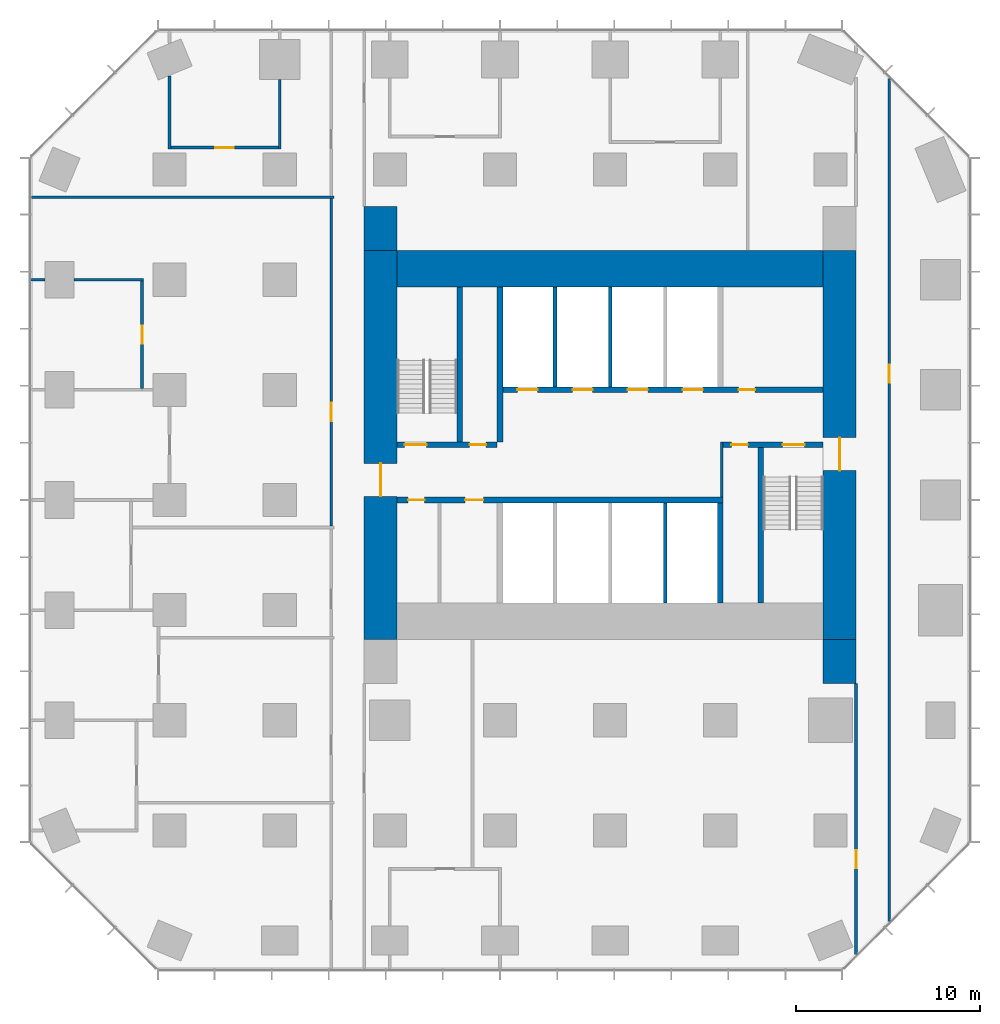
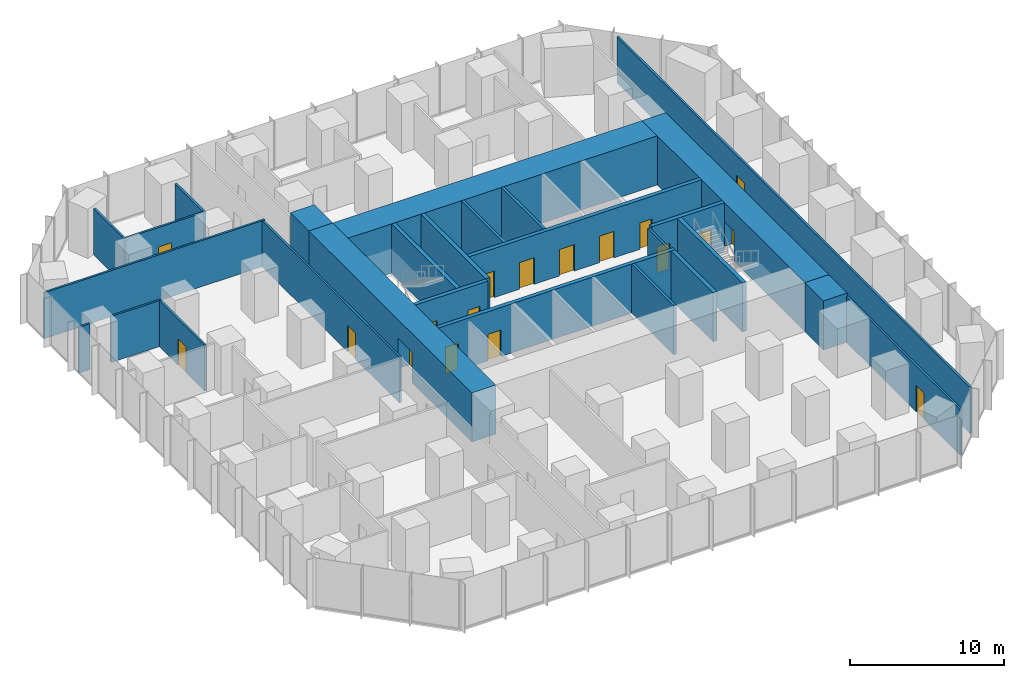
# One storey, part 9 of 11: 27 walls, 18 doors, 18 openings.
"""IFC4 building model written with IfcOpenShell, lengths in metres."""

from ifc_helpers import new_model, si_unit, direction, frame, frame_2d, origin, place, context, subcontext, project, spatial, rectangle, extrude, material, layer, layer_set, type_object, element, fill, save


model = new_model("IFC4")

# Units and contexts
model_context = context("Model", 3, precision=1e-05, world=origin(), true_north=direction((0.0, 1.0)))
body_context = subcontext(model_context, "Body", "Model", "MODEL_VIEW")
ifc_project = project(units=[si_unit("LENGTHUNIT", "METRE"), si_unit("AREAUNIT", "SQUARE_METRE"), si_unit("VOLUMEUNIT", "CUBIC_METRE"), si_unit("PLANEANGLEUNIT", "RADIAN"), si_unit("MASSUNIT", "GRAM", prefix="KILO")], contexts=[model_context])

# Site, building, storey
site_placement = place(None, origin())
site = spatial("IfcSite", under=ifc_project, at=site_placement, CompositionType="ELEMENT")
building_placement = place(site_placement, origin())
building = spatial("IfcBuilding", under=site, at=building_placement, Name="Highveld Stack Headquarters", CompositionType="ELEMENT")
storey_placement = place(building_placement, frame((0.0, 0.0, 29.89990234375)))
storey = spatial("IfcBuildingStorey", under=building, at=storey_placement, Name="L06", CompositionType="ELEMENT", Elevation=29.89990234375)

# Wall, opening, door
ifc_material_1 = material(Name="Concrete C60/75", Category="concrete")
ifc_layer_1 = layer(ifc_material_1, 1.800048828125)
ifc_layer_set_1 = layer_set([ifc_layer_1], Name="Concrete C60/75")
wall_type_1 = type_object("IfcWallType", Name="CORE WALL 1800 C60/75", PredefinedType="SHEAR", material=ifc_layer_set_1)
wall_1_placement = place(storey_placement, frame((-6.5, -7.60009765625, 0.0), z_axis=(0.0, 0.0, 1.0), x_axis=(0.0, 1.0, 0.0)))
wall_1 = element("IfcWall", 1, at=wall_1_placement, inside=storey, type_object=wall_type_1, Name="Core wall W L06", PredefinedType="SHEAR", context=body_context, shape_type="SweptSolid", body=[
    extrude(rectangle(XDim=21.2001953125, YDim=1.800048828125, at=frame_2d((10.60009765625, 0.0))), origin(), (0.0, 0.0, 1.0), 3.900146484375),
])
opening_1_placement = place(wall_1_placement, frame((7.800048828125, 0.0, 0.0)))
opening_1 = element("IfcOpeningElement", 2, at=opening_1_placement, cuts=wall_1, Name="Opening L06-01", PredefinedType="OPENING", context=body_context, shape_type="SweptSolid", body=[
    extrude(rectangle(XDim=1.800048828125, YDim=2.39990234375, at=frame_2d((0.89990234375, 1.199951171875))), frame((0.0, 0.909912109375, 0.0), z_axis=(0.0, -1.0, 0.0), x_axis=(1.0, 0.0, 0.0)), (0.0, 0.0, 1.0), 1.820068359375),
])
ifc_material_2 = material(Name="Steel fire door", Category="steel")
door_type_1 = type_object("IfcDoorType", Name="LOBBY FIRE DOOR D4 1800x2400", OperationType="DOUBLE_DOOR_SINGLE_SWING", PredefinedType="DOOR", material=ifc_material_2)
door_1_placement = place(opening_1_placement, origin())
door_1 = element("IfcDoor", 3, at=door_1_placement, inside=storey, type_object=door_type_1, Name="Core west door L06", OperationType="DOUBLE_DOOR_SINGLE_SWING", OverallHeight=2.39990234375, OverallWidth=1.800048828125, PredefinedType="DOOR", context=body_context, shape_type="SweptSolid", body=[
    extrude(rectangle(XDim=1.800048828125, YDim=2.39990234375, at=frame_2d((0.89990234375, 1.199951171875))), frame((0.0, 0.02490234375, 0.0), z_axis=(0.0, -1.0, 0.0), x_axis=(1.0, 0.0, 0.0)), (0.0, 0.0, 1.0), 0.050048828125),
])
fill(opening_1, door_1)

wall_2_placement = place(storey_placement, frame((18.5, -7.60009765625, 0.0), z_axis=(0.0, 0.0, 1.0), x_axis=(0.0, 1.0, 0.0)))
wall_2 = element("IfcWall", 4, at=wall_2_placement, inside=storey, type_object=wall_type_1, Name="Core wall E L06", PredefinedType="SHEAR", context=body_context, shape_type="SweptSolid", body=[
    extrude(rectangle(XDim=21.2001953125, YDim=1.800048828125, at=frame_2d((10.60009765625, 0.0))), origin(), (0.0, 0.0, 1.0), 3.900146484375),
])
opening_2_placement = place(wall_2_placement, frame((9.199951171875, 0.0, 0.0)))
opening_2 = element("IfcOpeningElement", 5, at=opening_2_placement, cuts=wall_2, Name="Opening L06-02", PredefinedType="OPENING", context=body_context, shape_type="SweptSolid", body=[
    extrude(rectangle(XDim=1.800048828125, YDim=2.39990234375, at=frame_2d((0.89990234375, 1.199951171875))), frame((0.0, 0.909912109375, 0.0), z_axis=(0.0, -1.0, 0.0), x_axis=(1.0, 0.0, 0.0)), (0.0, 0.0, 1.0), 1.820068359375),
])
door_2_placement = place(opening_2_placement, origin())
door_2 = element("IfcDoor", 6, at=door_2_placement, inside=storey, type_object=door_type_1, Name="Core east door L06", OperationType="DOUBLE_DOOR_SINGLE_SWING", OverallHeight=2.39990234375, OverallWidth=1.800048828125, PredefinedType="DOOR", context=body_context, shape_type="SweptSolid", body=[
    extrude(rectangle(XDim=1.800048828125, YDim=2.39990234375, at=frame_2d((0.89990234375, 1.199951171875))), frame((0.0, 0.02490234375, 0.0), z_axis=(0.0, -1.0, 0.0), x_axis=(1.0, 0.0, 0.0)), (0.0, 0.0, 1.0), 0.050048828125),
])
fill(opening_2, door_2)

# Wall
ifc_material_3 = material(Name="Concrete C60/75", Category="concrete")
ifc_layer_2 = layer(ifc_material_3, 2.0)
ifc_layer_set_2 = layer_set([ifc_layer_2], Name="Concrete C60/75")
wall_type_2 = type_object("IfcWallType", Name="CORE WALL 2000 C60/75", PredefinedType="SHEAR", material=ifc_layer_set_2)
wall_3_placement = place(storey_placement, frame((-5.60009765625, 12.60009765625, 0.0), z_axis=(0.0, 0.0, 1.0), x_axis=(1.0, 0.0, 0.0)))
element("IfcWall", 7, at=wall_3_placement, inside=storey, type_object=wall_type_2, Name="Core wall N L06", PredefinedType="SHEAR", context=body_context, shape_type="SweptSolid", body=[
    extrude(rectangle(XDim=23.2001953125, YDim=2.0, at=frame_2d((11.60009765625, 0.0))), origin(), (0.0, 0.0, 1.0), 3.900146484375),
])

# Wall, openings, doors
ifc_material_4 = material(Name="Concrete C60/75", Category="concrete")
ifc_layer_3 = layer(ifc_material_4, 0.300048828125)
ifc_layer_set_3 = layer_set([ifc_layer_3], Name="Concrete C60/75")
wall_type_3 = type_object("IfcWallType", Name="CORE WALL 300 C60/75", PredefinedType="SHEAR", material=ifc_layer_set_3)
wall_4_placement = place(storey_placement, frame((-5.60009765625, 0.0, 0.0), z_axis=(0.0, 0.0, 1.0), x_axis=(1.0, 0.0, 0.0)))
wall_4 = element("IfcWall", 8, at=wall_4_placement, inside=storey, type_object=wall_type_3, Name="Core wall I-Y0 L06", PredefinedType="SHEAR", context=body_context, shape_type="SweptSolid", body=[
    extrude(rectangle(XDim=17.75, YDim=0.300048828125, at=frame_2d((8.875, 0.0))), origin(), (0.0, 0.0, 1.0), 3.900146484375),
])
opening_3_placement = place(wall_4_placement, frame((0.60009765625, 0.0, 0.0)))
opening_3 = element("IfcOpeningElement", 9, at=opening_3_placement, cuts=wall_4, Name="Opening L06-07", PredefinedType="OPENING", context=body_context, shape_type="SweptSolid", body=[
    extrude(rectangle(XDim=0.89990234375, YDim=2.10009765625, at=frame_2d((0.449951171875, 1.050048828125))), frame((0.0, 0.159912109375, 0.0), z_axis=(0.0, -1.0, 0.0), x_axis=(1.0, 0.0, 0.0)), (0.0, 0.0, 1.0), 0.320068359375),
])
opening_4_placement = place(wall_4_placement, frame((3.699951171875, 0.0, 0.0)))
opening_4 = element("IfcOpeningElement", 10, at=opening_4_placement, cuts=wall_4, Name="Opening L06-08", PredefinedType="OPENING", context=body_context, shape_type="SweptSolid", body=[
    extrude(rectangle(XDim=1.0, YDim=2.10009765625, at=frame_2d((0.5, 1.050048828125))), frame((0.0, 0.159912109375, 0.0), z_axis=(0.0, -1.0, 0.0), x_axis=(1.0, 0.0, 0.0)), (0.0, 0.0, 1.0), 0.320068359375),
])
ifc_material_5 = material(Name="Timber door, painted", Category="wood")
door_type_2 = type_object("IfcDoorType", Name="ACCESSIBLE WC DOOR D2 1000x2100", OperationType="SINGLE_SWING_RIGHT", PredefinedType="DOOR", material=ifc_material_5)
door_3_placement = place(opening_4_placement, origin())
door_3 = element("IfcDoor", 11, at=door_3_placement, inside=storey, type_object=door_type_2, Name="Accessible WC door L06", OperationType="SINGLE_SWING_LEFT", OverallHeight=2.10009765625, OverallWidth=1.0, PredefinedType="DOOR", context=body_context, shape_type="SweptSolid", body=[
    extrude(rectangle(XDim=1.0, YDim=2.10009765625, at=frame_2d((0.5, 1.050048828125))), frame((0.0, 0.02490234375, 0.0), z_axis=(0.0, -1.0, 0.0), x_axis=(1.0, 0.0, 0.0)), (0.0, 0.0, 1.0), 0.050048828125),
])
fill(opening_4, door_3)
ifc_material_6 = material(Name="Timber door, painted", Category="wood")
door_type_3 = type_object("IfcDoorType", Name="WC DOOR D1 900x2100", OperationType="SINGLE_SWING_LEFT", PredefinedType="DOOR", material=ifc_material_6)
door_4_placement = place(opening_3_placement, origin())
door_4 = element("IfcDoor", 12, at=door_4_placement, inside=storey, type_object=door_type_3, Name="Female WC door L06", OperationType="SINGLE_SWING_LEFT", OverallHeight=2.10009765625, OverallWidth=0.89990234375, PredefinedType="DOOR", context=body_context, shape_type="SweptSolid", body=[
    extrude(rectangle(XDim=0.89990234375, YDim=2.10009765625, at=frame_2d((0.449951171875, 1.050048828125))), frame((0.0, 0.02490234375, 0.0), z_axis=(0.0, -1.0, 0.0), x_axis=(1.0, 0.0, 0.0)), (0.0, 0.0, 1.0), 0.050048828125),
])
fill(opening_3, door_4)

wall_5_placement = place(storey_placement, frame((-5.60009765625, 3.0, 0.0), z_axis=(0.0, 0.0, 1.0), x_axis=(1.0, 0.0, 0.0)))
wall_5 = element("IfcWall", 13, at=wall_5_placement, inside=storey, type_object=wall_type_3, Name="Core wall I-Y3W L06", PredefinedType="SHEAR", context=body_context, shape_type="SweptSolid", body=[
    extrude(rectangle(XDim=5.4501953125, YDim=0.300048828125, at=frame_2d((2.72509765625, 0.0))), origin(), (0.0, 0.0, 1.0), 3.900146484375),
])
opening_5_placement = place(wall_5_placement, frame((0.39990234375, 0.0, 0.0)))
opening_5 = element("IfcOpeningElement", 14, at=opening_5_placement, cuts=wall_5, Name="Opening L06-03", PredefinedType="OPENING", context=body_context, shape_type="SweptSolid", body=[
    extrude(rectangle(XDim=1.199951171875, YDim=2.10009765625, at=frame_2d((0.60009765625, 1.050048828125))), frame((0.0, 0.159912109375, 0.0), z_axis=(0.0, -1.0, 0.0), x_axis=(1.0, 0.0, 0.0)), (0.0, 0.0, 1.0), 0.320068359375),
])
opening_6_placement = place(wall_5_placement, frame((3.949951171875, 0.0, 0.0)))
opening_6 = element("IfcOpeningElement", 15, at=opening_6_placement, cuts=wall_5, Name="Opening L06-04", PredefinedType="OPENING", context=body_context, shape_type="SweptSolid", body=[
    extrude(rectangle(XDim=0.89990234375, YDim=2.10009765625, at=frame_2d((0.449951171875, 1.050048828125))), frame((0.0, 0.159912109375, 0.0), z_axis=(0.0, -1.0, 0.0), x_axis=(1.0, 0.0, 0.0)), (0.0, 0.0, 1.0), 0.320068359375),
])
ifc_material_7 = material(Name="Steel fire door", Category="steel")
door_type_4 = type_object("IfcDoorType", Name="RISER ACCESS DOOR D5 900x2100", OperationType="SINGLE_SWING_LEFT", PredefinedType="DOOR", material=ifc_material_7)
door_5_placement = place(opening_6_placement, origin())
door_5 = element("IfcDoor", 16, at=door_5_placement, inside=storey, type_object=door_type_4, Name="Riser R1 door L06", OperationType="SINGLE_SWING_RIGHT", OverallHeight=2.10009765625, OverallWidth=0.89990234375, PredefinedType="DOOR", context=body_context, shape_type="SweptSolid", body=[
    extrude(rectangle(XDim=0.89990234375, YDim=2.10009765625, at=frame_2d((0.449951171875, 1.050048828125))), frame((0.0, 0.02490234375, 0.0), z_axis=(0.0, -1.0, 0.0), x_axis=(1.0, 0.0, 0.0)), (0.0, 0.0, 1.0), 0.050048828125),
])
fill(opening_6, door_5)
ifc_material_8 = material(Name="Steel fire door", Category="steel")
door_type_5 = type_object("IfcDoorType", Name="STAIR FIRE DOOR D3 1200x2100", OperationType="SINGLE_SWING_LEFT", PredefinedType="DOOR", material=ifc_material_8)
door_6_placement = place(opening_5_placement, origin())
door_6 = element("IfcDoor", 17, at=door_6_placement, inside=storey, type_object=door_type_5, Name="Stair S1 door L06", OperationType="SINGLE_SWING_LEFT", OverallHeight=2.10009765625, OverallWidth=1.199951171875, PredefinedType="DOOR", context=body_context, shape_type="SweptSolid", body=[
    extrude(rectangle(XDim=1.199951171875, YDim=2.10009765625, at=frame_2d((0.60009765625, 1.050048828125))), frame((0.0, 0.02490234375, 0.0), z_axis=(0.0, -1.0, 0.0), x_axis=(1.0, 0.0, 0.0)), (0.0, 0.0, 1.0), 0.050048828125),
])
fill(opening_5, door_6)

wall_6_placement = place(storey_placement, frame((12.14990234375, 3.0, 0.0), z_axis=(0.0, 0.0, 1.0), x_axis=(1.0, 0.0, 0.0)))
wall_6 = element("IfcWall", 18, at=wall_6_placement, inside=storey, type_object=wall_type_3, Name="Core wall I-Y3E L06", PredefinedType="SHEAR", context=body_context, shape_type="SweptSolid", body=[
    extrude(rectangle(XDim=5.4501953125, YDim=0.300048828125, at=frame_2d((2.72509765625, 0.0))), origin(), (0.0, 0.0, 1.0), 3.900146484375),
])
opening_7_placement = place(wall_6_placement, frame((3.25, 0.0, 0.0)))
opening_7 = element("IfcOpeningElement", 19, at=opening_7_placement, cuts=wall_6, Name="Opening L06-05", PredefinedType="OPENING", context=body_context, shape_type="SweptSolid", body=[
    extrude(rectangle(XDim=1.199951171875, YDim=2.10009765625, at=frame_2d((0.60009765625, 1.050048828125))), frame((0.0, 0.159912109375, 0.0), z_axis=(0.0, -1.0, 0.0), x_axis=(1.0, 0.0, 0.0)), (0.0, 0.0, 1.0), 0.320068359375),
])
opening_8_placement = place(wall_6_placement, frame((0.449951171875, 0.0, 0.0)))
opening_8 = element("IfcOpeningElement", 20, at=opening_8_placement, cuts=wall_6, Name="Opening L06-06", PredefinedType="OPENING", context=body_context, shape_type="SweptSolid", body=[
    extrude(rectangle(XDim=0.89990234375, YDim=2.10009765625, at=frame_2d((0.449951171875, 1.050048828125))), frame((0.0, 0.159912109375, 0.0), z_axis=(0.0, -1.0, 0.0), x_axis=(1.0, 0.0, 0.0)), (0.0, 0.0, 1.0), 0.320068359375),
])
door_7_placement = place(opening_8_placement, origin())
door_7 = element("IfcDoor", 21, at=door_7_placement, inside=storey, type_object=door_type_4, Name="Riser R2 door L06", OperationType="SINGLE_SWING_LEFT", OverallHeight=2.10009765625, OverallWidth=0.89990234375, PredefinedType="DOOR", context=body_context, shape_type="SweptSolid", body=[
    extrude(rectangle(XDim=0.89990234375, YDim=2.10009765625, at=frame_2d((0.449951171875, 1.050048828125))), frame((0.0, 0.02490234375, 0.0), z_axis=(0.0, -1.0, 0.0), x_axis=(1.0, 0.0, 0.0)), (0.0, 0.0, 1.0), 0.050048828125),
])
fill(opening_8, door_7)
door_8_placement = place(opening_7_placement, origin())
door_8 = element("IfcDoor", 22, at=door_8_placement, inside=storey, type_object=door_type_5, Name="Stair S2 door L06", OperationType="SINGLE_SWING_RIGHT", OverallHeight=2.10009765625, OverallWidth=1.199951171875, PredefinedType="DOOR", context=body_context, shape_type="SweptSolid", body=[
    extrude(rectangle(XDim=1.199951171875, YDim=2.10009765625, at=frame_2d((0.60009765625, 1.050048828125))), frame((0.0, 0.02490234375, 0.0), z_axis=(0.0, -1.0, 0.0), x_axis=(1.0, 0.0, 0.0)), (0.0, 0.0, 1.0), 0.050048828125),
])
fill(opening_7, door_8)

wall_7_placement = place(storey_placement, frame((-0.14990234375, 6.0, 0.0), z_axis=(0.0, 0.0, 1.0), x_axis=(1.0, 0.0, 0.0)))
wall_7 = element("IfcWall", 23, at=wall_7_placement, inside=storey, type_object=wall_type_3, Name="Core wall I-Y6 L06", PredefinedType="SHEAR", context=body_context, shape_type="SweptSolid", body=[
    extrude(rectangle(XDim=17.75, YDim=0.300048828125, at=frame_2d((8.875, 0.0))), origin(), (0.0, 0.0, 1.0), 3.900146484375),
])
opening_9_placement = place(wall_7_placement, frame((13.14990234375, 0.0, 0.0)))
opening_9 = element("IfcOpeningElement", 24, at=opening_9_placement, cuts=wall_7, Name="Opening L06-09", PredefinedType="OPENING", context=body_context, shape_type="SweptSolid", body=[
    extrude(rectangle(XDim=0.89990234375, YDim=2.10009765625, at=frame_2d((0.449951171875, 1.050048828125))), frame((0.0, 0.159912109375, 0.0), z_axis=(0.0, -1.0, 0.0), x_axis=(1.0, 0.0, 0.0)), (0.0, 0.0, 1.0), 0.320068359375),
])
opening_10_placement = place(wall_7_placement, frame((1.10009765625, 0.0, 0.0)))
opening_10 = element("IfcOpeningElement", 25, at=opening_10_placement, cuts=wall_7, Name="Opening LD", PredefinedType="OPENING", context=body_context, shape_type="SweptSolid", body=[
    extrude(rectangle(XDim=1.10009765625, YDim=2.10009765625, at=frame_2d((0.550048828125, 1.050048828125))), frame((0.0, 0.159912109375, 0.0), z_axis=(0.0, -1.0, 0.0), x_axis=(1.0, 0.0, 0.0)), (0.0, 0.0, 1.0), 0.320068359375),
])
opening_11_placement = place(wall_7_placement, frame((4.10009765625, 0.0, 0.0)))
opening_11 = element("IfcOpeningElement", 26, at=opening_11_placement, cuts=wall_7, Name="Opening LD", PredefinedType="OPENING", context=body_context, shape_type="SweptSolid", body=[
    extrude(rectangle(XDim=1.10009765625, YDim=2.10009765625, at=frame_2d((0.550048828125, 1.050048828125))), frame((0.0, 0.159912109375, 0.0), z_axis=(0.0, -1.0, 0.0), x_axis=(1.0, 0.0, 0.0)), (0.0, 0.0, 1.0), 0.320068359375),
])
opening_12_placement = place(wall_7_placement, frame((7.10009765625, 0.0, 0.0)))
opening_12 = element("IfcOpeningElement", 27, at=opening_12_placement, cuts=wall_7, Name="Opening LD", PredefinedType="OPENING", context=body_context, shape_type="SweptSolid", body=[
    extrude(rectangle(XDim=1.10009765625, YDim=2.10009765625, at=frame_2d((0.550048828125, 1.050048828125))), frame((0.0, 0.159912109375, 0.0), z_axis=(0.0, -1.0, 0.0), x_axis=(1.0, 0.0, 0.0)), (0.0, 0.0, 1.0), 0.320068359375),
])
opening_13_placement = place(wall_7_placement, frame((10.10009765625, 0.0, 0.0)))
opening_13 = element("IfcOpeningElement", 28, at=opening_13_placement, cuts=wall_7, Name="Opening LD", PredefinedType="OPENING", context=body_context, shape_type="SweptSolid", body=[
    extrude(rectangle(XDim=1.10009765625, YDim=2.10009765625, at=frame_2d((0.550048828125, 1.050048828125))), frame((0.0, 0.159912109375, 0.0), z_axis=(0.0, -1.0, 0.0), x_axis=(1.0, 0.0, 0.0)), (0.0, 0.0, 1.0), 0.320068359375),
])
ifc_material_9 = material(Name="Stainless steel lift landing door", Category="steel")
door_type_6 = type_object("IfcDoorType", Name="LIFT LANDING DOOR LD 1100x2100", OperationType="DOUBLE_DOOR_SLIDING", PredefinedType="USERDEFINED", material=ifc_material_9)
door_9_placement = place(opening_10_placement, origin())
door_9 = element("IfcDoor", 29, at=door_9_placement, inside=storey, type_object=door_type_6, Name="Lift landing door FF1 L06", ObjectType="LIFT LANDING DOOR", OperationType="DOUBLE_DOOR_SLIDING", OverallHeight=2.10009765625, OverallWidth=1.10009765625, PredefinedType="USERDEFINED", context=body_context, shape_type="SweptSolid", body=[
    extrude(rectangle(XDim=1.10009765625, YDim=2.10009765625, at=frame_2d((0.550048828125, 1.050048828125))), frame((0.0, 0.02490234375, 0.0), z_axis=(0.0, -1.0, 0.0), x_axis=(1.0, 0.0, 0.0)), (0.0, 0.0, 1.0), 0.050048828125),
])
fill(opening_10, door_9)
door_10_placement = place(opening_11_placement, origin())
door_10 = element("IfcDoor", 30, at=door_10_placement, inside=storey, type_object=door_type_6, Name="Lift landing door FF2 L06", ObjectType="LIFT LANDING DOOR", OperationType="DOUBLE_DOOR_SLIDING", OverallHeight=2.10009765625, OverallWidth=1.10009765625, PredefinedType="USERDEFINED", context=body_context, shape_type="SweptSolid", body=[
    extrude(rectangle(XDim=1.10009765625, YDim=2.10009765625, at=frame_2d((0.550048828125, 1.050048828125))), frame((0.0, 0.02490234375, 0.0), z_axis=(0.0, -1.0, 0.0), x_axis=(1.0, 0.0, 0.0)), (0.0, 0.0, 1.0), 0.050048828125),
])
fill(opening_11, door_10)
door_11_placement = place(opening_12_placement, origin())
door_11 = element("IfcDoor", 31, at=door_11_placement, inside=storey, type_object=door_type_6, Name="Lift landing door A1 L06", ObjectType="LIFT LANDING DOOR", OperationType="DOUBLE_DOOR_SLIDING", OverallHeight=2.10009765625, OverallWidth=1.10009765625, PredefinedType="USERDEFINED", context=body_context, shape_type="SweptSolid", body=[
    extrude(rectangle(XDim=1.10009765625, YDim=2.10009765625, at=frame_2d((0.550048828125, 1.050048828125))), frame((0.0, 0.02490234375, 0.0), z_axis=(0.0, -1.0, 0.0), x_axis=(1.0, 0.0, 0.0)), (0.0, 0.0, 1.0), 0.050048828125),
])
fill(opening_12, door_11)
door_12_placement = place(opening_13_placement, origin())
door_12 = element("IfcDoor", 32, at=door_12_placement, inside=storey, type_object=door_type_6, Name="Lift landing door A2 L06", ObjectType="LIFT LANDING DOOR", OperationType="DOUBLE_DOOR_SLIDING", OverallHeight=2.10009765625, OverallWidth=1.10009765625, PredefinedType="USERDEFINED", context=body_context, shape_type="SweptSolid", body=[
    extrude(rectangle(XDim=1.10009765625, YDim=2.10009765625, at=frame_2d((0.550048828125, 1.050048828125))), frame((0.0, 0.02490234375, 0.0), z_axis=(0.0, -1.0, 0.0), x_axis=(1.0, 0.0, 0.0)), (0.0, 0.0, 1.0), 0.050048828125),
])
fill(opening_13, door_12)
door_13_placement = place(opening_9_placement, origin())
door_13 = element("IfcDoor", 33, at=door_13_placement, inside=storey, type_object=door_type_3, Name="Male WC door L06", OperationType="SINGLE_SWING_RIGHT", OverallHeight=2.10009765625, OverallWidth=0.89990234375, PredefinedType="DOOR", context=body_context, shape_type="SweptSolid", body=[
    extrude(rectangle(XDim=0.89990234375, YDim=2.10009765625, at=frame_2d((0.449951171875, 1.050048828125))), frame((0.0, 0.02490234375, 0.0), z_axis=(0.0, -1.0, 0.0), x_axis=(1.0, 0.0, 0.0)), (0.0, 0.0, 1.0), 0.050048828125),
])
fill(opening_9, door_13)

# Walls
wall_8_placement = place(storey_placement, frame((0.0, 3.14990234375, 0.0), z_axis=(0.0, 0.0, 1.0), x_axis=(0.0, 1.0, 0.0)))
element("IfcWall", 34, at=wall_8_placement, inside=storey, type_object=wall_type_3, Name="Core wall I-X0N L06", PredefinedType="SHEAR", context=body_context, shape_type="SweptSolid", body=[
    extrude(rectangle(XDim=8.4501953125, YDim=0.300048828125, at=frame_2d((4.22509765625, 0.0))), origin(), (0.0, 0.0, 1.0), 3.900146484375),
])
wall_9_placement = place(storey_placement, frame((12.0, -5.60009765625, 0.0), z_axis=(0.0, 0.0, 1.0), x_axis=(0.0, 1.0, 0.0)))
element("IfcWall", 35, at=wall_9_placement, inside=storey, type_object=wall_type_3, Name="Core wall I-X12S L06", PredefinedType="SHEAR", context=body_context, shape_type="SweptSolid", body=[
    extrude(rectangle(XDim=5.4501953125, YDim=0.300048828125, at=frame_2d((2.72509765625, 0.0))), origin(), (0.0, 0.0, 1.0), 3.900146484375),
])
for number, where, z_axis, x_axis, name in (
    (36, (-2.199951171875, 3.14990234375, 0.0), (0.0, 0.0, 1.0), (0.0, 1.0, 0.0), "Core wall I-RW L06"),
    (37, (14.199951171875, -5.60009765625, 0.0), (0.0, 0.0, 1.0), (0.0, 1.0, 0.0), "Core wall I-RE L06"),
):
    element("IfcWall", number, at=place(storey_placement, frame(where, z_axis=z_axis, x_axis=x_axis)), inside=storey, type_object=wall_type_3, Name=name, PredefinedType="SHEAR", context=body_context, shape_type="SweptSolid", body=[
        extrude(rectangle(XDim=8.4501953125, YDim=0.300048828125, at=frame_2d((4.22509765625, 0.0))), origin(), (0.0, 0.0, 1.0), 3.900146484375),
    ])
ifc_material_10 = material(Name="Concrete C60/75", Category="concrete")
ifc_layer_4 = layer(ifc_material_10, 1.800048828125)
ifc_layer_set_4 = layer_set([ifc_layer_4], Name="Concrete C60/75")
wall_type_4 = type_object("IfcWallType", Name="CORE WING WALL 1800 C60/75", PredefinedType="SHEAR", material=ifc_layer_set_4)
for number, where, z_axis, x_axis, name in (
    (38, (-6.5, 13.60009765625, 0.0), (0.0, 0.0, 1.0), (0.0, 1.0, 0.0), "Core wing wall WN L06"),
    (39, (18.5, -10.0, 0.0), (0.0, 0.0, 1.0), (0.0, 1.0, 0.0), "Core wing wall ES L06"),
):
    element("IfcWall", number, at=place(storey_placement, frame(where, z_axis=z_axis, x_axis=x_axis)), inside=storey, type_object=wall_type_4, Name=name, PredefinedType="SHEAR", context=body_context, shape_type="SweptSolid", body=[
        extrude(rectangle(XDim=2.39990234375, YDim=1.800048828125, at=frame_2d((1.199951171875, 0.0))), origin(), (0.0, 0.0, 1.0), 3.900146484375),
    ])
ifc_material_11 = material(Name="Concrete blockwork, plastered", Category="masonry")
ifc_layer_5 = layer(ifc_material_11, 0.14990234375)
ifc_layer_set_5 = layer_set([ifc_layer_5], Name="Concrete blockwork, plastered")
wall_type_5 = type_object("IfcWallType", Name="FIRE PARTITION 150 BLOCKWORK", PredefinedType="PARTITIONING", material=ifc_layer_set_5)
wall_10_placement = place(storey_placement, frame((12.074951171875, 0.14990234375, 0.0), z_axis=(0.0, 0.0, 1.0), x_axis=(0.0, 1.0, 0.0)))
element("IfcWall", 40, at=wall_10_placement, inside=storey, type_object=wall_type_5, Name="Riser R2 enclosure L06", PredefinedType="PARTITIONING", context=body_context, shape_type="SweptSolid", body=[
    extrude(rectangle(XDim=3.0, YDim=0.14990234375, at=frame_2d((1.5, 0.0))), origin(), (0.0, 0.0, 1.0), 3.650146484375),
])
ifc_material_12 = material(Name="Concrete blockwork, fair-faced", Category="masonry")
ifc_layer_6 = layer(ifc_material_12, 0.199951171875)
ifc_layer_set_6 = layer_set([ifc_layer_6], Name="Concrete blockwork, fair-faced")
wall_type_6 = type_object("IfcWallType", Name="LIFT SHAFT ENCLOSURE WALL 200 BLOCKWORK", PredefinedType="SOLIDWALL", material=ifc_layer_set_6)
for number, where, z_axis, x_axis, name in (
    (41, (3.0, 6.14990234375, 0.0), (0.0, 0.0, 1.0), (0.0, 1.0, 0.0), "Lift shaft wall L06"),
    (42, (6.0, 6.14990234375, 0.0), (0.0, 0.0, 1.0), (0.0, 1.0, 0.0), "Lift shaft wall L06"),
    (43, (9.0, -5.60009765625, 0.0), (0.0, 0.0, 1.0), (0.0, 1.0, 0.0), "Lift shaft wall L06"),
):
    element("IfcWall", number, at=place(storey_placement, frame(where, z_axis=z_axis, x_axis=x_axis)), inside=storey, type_object=wall_type_6, Name=name, PredefinedType="SOLIDWALL", context=body_context, shape_type="SweptSolid", body=[
        extrude(rectangle(XDim=5.4501953125, YDim=0.199951171875, at=frame_2d((2.72509765625, 0.0))), origin(), (0.0, 0.0, 1.0), 3.900146484375),
    ])
ifc_material_13 = material(Name="Gypsum plasterboard on steel studs", Category="steel")
ifc_layer_7 = layer(ifc_material_13, 0.14990234375)
ifc_layer_set_7 = layer_set([ifc_layer_7], Name="Gypsum plasterboard on steel studs")
wall_type_7 = type_object("IfcWallType", Name="PARTITION 150 PLASTERBOARD", PredefinedType="PARTITIONING", material=ifc_layer_set_7)
wall_11_placement = place(storey_placement, frame((-25.60009765625, 12.0, 0.0), z_axis=(0.0, 0.0, 1.0), x_axis=(1.0, 0.0, 0.0)))
element("IfcWall", 44, at=wall_11_placement, inside=storey, type_object=wall_type_7, Name="Partition Quiet room L06", PredefinedType="PARTITIONING", context=body_context, shape_type="SweptSolid", body=[
    extrude(rectangle(XDim=0.800048828125, YDim=0.14990234375, at=frame_2d((0.39990234375, 0.0))), origin(), (0.0, 0.0, 1.0), 3.650146484375),
])
wall_12_placement = place(storey_placement, frame((-23.199951171875, 12.0, 0.0), z_axis=(0.0, 0.0, 1.0), x_axis=(1.0, 0.0, 0.0)))
element("IfcWall", 45, at=wall_12_placement, inside=storey, type_object=wall_type_7, Name="Partition Quiet room L06", PredefinedType="PARTITIONING", context=body_context, shape_type="SweptSolid", body=[
    extrude(rectangle(XDim=3.77490234375, YDim=0.14990234375, at=frame_2d((1.887451171875, 0.0))), origin(), (0.0, 0.0, 1.0), 3.650146484375),
])

# Wall, opening, door
wall_13_placement = place(storey_placement, frame((-17.925048828125, 19.199951171875, 0.0), z_axis=(0.0, 0.0, 1.0), x_axis=(1.0, 0.0, 0.0)))
wall_13 = element("IfcWall", 46, at=wall_13_placement, inside=storey, type_object=wall_type_7, Name="Partition Tea kitchen L06", PredefinedType="PARTITIONING", context=body_context, shape_type="SweptSolid", body=[
    extrude(rectangle(XDim=5.85009765625, YDim=0.14990234375, at=frame_2d((2.925048828125, 0.0))), origin(), (0.0, 0.0, 1.0), 3.650146484375),
])
opening_14_placement = place(wall_13_placement, frame((2.425048828125, 0.0, 0.0)))
opening_14 = element("IfcOpeningElement", 47, at=opening_14_placement, cuts=wall_13, Name="Opening L06-16", PredefinedType="OPENING", context=body_context, shape_type="SweptSolid", body=[
    extrude(rectangle(XDim=1.0, YDim=2.10009765625, at=frame_2d((0.5, 1.050048828125))), frame((0.0, 0.0849609375, 0.0), z_axis=(0.0, -1.0, 0.0), x_axis=(1.0, 0.0, 0.0)), (0.0, 0.0, 1.0), 0.169921875),
])
ifc_material_14 = material(Name="Timber door, oiled ash", Category="wood")
door_type_7 = type_object("IfcDoorType", Name="ROOM DOOR D6 1000x2100", OperationType="SINGLE_SWING_LEFT", PredefinedType="DOOR", material=ifc_material_14)
door_14_placement = place(opening_14_placement, origin())
door_14 = element("IfcDoor", 48, at=door_14_placement, inside=storey, type_object=door_type_7, Name="Tea kitchen door 1 L06", OperationType="SINGLE_SWING_LEFT", OverallHeight=2.10009765625, OverallWidth=1.0, PredefinedType="DOOR", context=body_context, shape_type="SweptSolid", body=[
    extrude(rectangle(XDim=1.0, YDim=2.10009765625, at=frame_2d((0.5, 1.050048828125))), frame((0.0, 0.02490234375, 0.0), z_axis=(0.0, -1.0, 0.0), x_axis=(1.0, 0.0, 0.0)), (0.0, 0.0, 1.0), 0.050048828125),
])
fill(opening_14, door_14)

wall_14_placement = place(storey_placement, frame((-19.5, 6.074951171875, 0.0), z_axis=(0.0, 0.0, 1.0), x_axis=(0.0, 1.0, 0.0)))
wall_14 = element("IfcWall", 49, at=wall_14_placement, inside=storey, type_object=wall_type_7, Name="Partition Quiet room L06", PredefinedType="PARTITIONING", context=body_context, shape_type="SweptSolid", body=[
    extrude(rectangle(XDim=5.85009765625, YDim=0.14990234375, at=frame_2d((2.925048828125, 0.0))), origin(), (0.0, 0.0, 1.0), 3.650146484375),
])
opening_15_placement = place(wall_14_placement, frame((2.425048828125, 0.0, 0.0)))
opening_15 = element("IfcOpeningElement", 50, at=opening_15_placement, cuts=wall_14, Name="Opening L06-15", PredefinedType="OPENING", context=body_context, shape_type="SweptSolid", body=[
    extrude(rectangle(XDim=1.0, YDim=2.10009765625, at=frame_2d((0.5, 1.050048828125))), frame((0.0, 0.0849609375, 0.0), z_axis=(0.0, -1.0, 0.0), x_axis=(1.0, 0.0, 0.0)), (0.0, 0.0, 1.0), 0.169921875),
])
door_15_placement = place(opening_15_placement, origin())
door_15 = element("IfcDoor", 51, at=door_15_placement, inside=storey, type_object=door_type_7, Name="Quiet room door 1 L06", OperationType="SINGLE_SWING_LEFT", OverallHeight=2.10009765625, OverallWidth=1.0, PredefinedType="DOOR", context=body_context, shape_type="SweptSolid", body=[
    extrude(rectangle(XDim=1.0, YDim=2.10009765625, at=frame_2d((0.5, 1.050048828125))), frame((0.0, 0.02490234375, 0.0), z_axis=(0.0, -1.0, 0.0), x_axis=(1.0, 0.0, 0.0)), (0.0, 0.0, 1.0), 0.050048828125),
])
fill(opening_15, door_15)

# Walls
wall_15_placement = place(storey_placement, frame((-18.0, 19.125, 0.0), z_axis=(0.0, 0.0, 1.0), x_axis=(0.0, 1.0, 0.0)))
element("IfcWall", 52, at=wall_15_placement, inside=storey, type_object=wall_type_7, Name="Partition Tea kitchen L06", PredefinedType="PARTITIONING", context=body_context, shape_type="SweptSolid", body=[
    extrude(rectangle(XDim=3.97802734375, YDim=0.14990234375, at=frame_2d((1.989013671875, 0.0))), origin(), (0.0, 0.0, 1.0), 3.650146484375),
])
wall_16_placement = place(storey_placement, frame((-12.0, 19.125, 0.0), z_axis=(0.0, 0.0, 1.0), x_axis=(0.0, 1.0, 0.0)))
element("IfcWall", 53, at=wall_16_placement, inside=storey, type_object=wall_type_7, Name="Partition Tea kitchen L06", PredefinedType="PARTITIONING", context=body_context, shape_type="SweptSolid", body=[
    extrude(rectangle(XDim=3.77490234375, YDim=0.14990234375, at=frame_2d((1.887451171875, 0.0))), origin(), (0.0, 0.0, 1.0), 3.650146484375),
])
wall_17_placement = place(storey_placement, frame((-25.60009765625, 16.5, 0.0), z_axis=(0.0, 0.0, 1.0), x_axis=(1.0, 0.0, 0.0)))
element("IfcWall", 54, at=wall_17_placement, inside=storey, type_object=wall_type_7, Name="Partition office neighbourhood L06", PredefinedType="PARTITIONING", context=body_context, shape_type="SweptSolid", body=[
    extrude(rectangle(XDim=16.550048828125, YDim=0.14990234375, at=frame_2d((8.27490234375, 0.0))), origin(), (0.0, 0.0, 1.0), 3.650146484375),
])

# Wall, opening, door
wall_18_placement = place(storey_placement, frame((-9.199951171875, -1.425048828125, 0.0), z_axis=(0.0, 0.0, 1.0), x_axis=(0.0, 1.0, 0.0)))
wall_18 = element("IfcWall", 55, at=wall_18_placement, inside=storey, type_object=wall_type_7, Name="Partition office neighbourhood L06", PredefinedType="PARTITIONING", context=body_context, shape_type="SweptSolid", body=[
    extrude(rectangle(XDim=17.85009765625, YDim=0.14990234375, at=frame_2d((8.925048828125, 0.0))), origin(), (0.0, 0.0, 1.0), 3.650146484375),
])
opening_16_placement = place(wall_18_placement, frame((5.72509765625, 0.0, 0.0)))
opening_16 = element("IfcOpeningElement", 56, at=opening_16_placement, cuts=wall_18, Name="Opening L06-25", PredefinedType="OPENING", context=body_context, shape_type="SweptSolid", body=[
    extrude(rectangle(XDim=1.0, YDim=2.10009765625, at=frame_2d((0.5, 1.050048828125))), frame((0.0, 0.0849609375, 0.0), z_axis=(0.0, -1.0, 0.0), x_axis=(1.0, 0.0, 0.0)), (0.0, 0.0, 1.0), 0.169921875),
])
door_16_placement = place(opening_16_placement, origin())
door_16 = element("IfcDoor", 57, at=door_16_placement, inside=storey, type_object=door_type_7, Name="Office neighbourhood door L06", OperationType="SINGLE_SWING_LEFT", OverallHeight=2.10009765625, OverallWidth=1.0, PredefinedType="DOOR", context=body_context, shape_type="SweptSolid", body=[
    extrude(rectangle(XDim=1.0, YDim=2.10009765625, at=frame_2d((0.5, 1.050048828125))), frame((0.0, 0.02490234375, 0.0), z_axis=(0.0, -1.0, 0.0), x_axis=(1.0, 0.0, 0.0)), (0.0, 0.0, 1.0), 0.050048828125),
])
fill(opening_16, door_16)

wall_19_placement = place(storey_placement, frame((19.39990234375, -24.77099609375, 0.0), z_axis=(0.0, 0.0, 1.0), x_axis=(0.0, 1.0, 0.0)))
wall_19 = element("IfcWall", 58, at=wall_19_placement, inside=storey, type_object=wall_type_7, Name="Partition office neighbourhood L06", PredefinedType="PARTITIONING", context=body_context, shape_type="SweptSolid", body=[
    extrude(rectangle(XDim=14.77099609375, YDim=0.14990234375, at=frame_2d((7.385498046875, 0.0))), origin(), (0.0, 0.0, 1.0), 3.650146484375),
])
opening_17_placement = place(wall_19_placement, frame((4.701904296875, 0.0, 0.0)))
opening_17 = element("IfcOpeningElement", 59, at=opening_17_placement, cuts=wall_19, Name="Opening L06-20", PredefinedType="OPENING", context=body_context, shape_type="SweptSolid", body=[
    extrude(rectangle(XDim=1.0, YDim=2.10009765625, at=frame_2d((0.5, 1.050048828125))), frame((0.0, 0.0849609375, 0.0), z_axis=(0.0, -1.0, 0.0), x_axis=(1.0, 0.0, 0.0)), (0.0, 0.0, 1.0), 0.169921875),
])
door_17_placement = place(opening_17_placement, origin())
door_17 = element("IfcDoor", 60, at=door_17_placement, inside=storey, type_object=door_type_7, Name="Office neighbourhood door L06", OperationType="SINGLE_SWING_LEFT", OverallHeight=2.10009765625, OverallWidth=1.0, PredefinedType="DOOR", context=body_context, shape_type="SweptSolid", body=[
    extrude(rectangle(XDim=1.0, YDim=2.10009765625, at=frame_2d((0.5, 1.050048828125))), frame((0.0, 0.02490234375, 0.0), z_axis=(0.0, -1.0, 0.0), x_axis=(1.0, 0.0, 0.0)), (0.0, 0.0, 1.0), 0.050048828125),
])
fill(opening_17, door_17)

wall_20_placement = place(storey_placement, frame((21.199951171875, -22.970947265625, 0.0), z_axis=(0.0, 0.0, 1.0), x_axis=(0.0, 1.0, 0.0)))
wall_20 = element("IfcWall", 61, at=wall_20_placement, inside=storey, type_object=wall_type_7, Name="Partition office neighbourhood L06", PredefinedType="PARTITIONING", context=body_context, shape_type="SweptSolid", body=[
    extrude(rectangle(XDim=45.94189453125, YDim=0.14990234375, at=frame_2d((22.970947265625, 0.0))), origin(), (0.0, 0.0, 1.0), 3.650146484375),
])
opening_18_placement = place(wall_20_placement, frame((29.347900390625, 0.0, 0.0)))
opening_18 = element("IfcOpeningElement", 62, at=opening_18_placement, cuts=wall_20, Name="Opening L06-24", PredefinedType="OPENING", context=body_context, shape_type="SweptSolid", body=[
    extrude(rectangle(XDim=1.0, YDim=2.10009765625, at=frame_2d((0.5, 1.050048828125))), frame((0.0, 0.0849609375, 0.0), z_axis=(0.0, -1.0, 0.0), x_axis=(1.0, 0.0, 0.0)), (0.0, 0.0, 1.0), 0.169921875),
])
door_18_placement = place(opening_18_placement, origin())
door_18 = element("IfcDoor", 63, at=door_18_placement, inside=storey, type_object=door_type_7, Name="Office neighbourhood door L06", OperationType="SINGLE_SWING_RIGHT", OverallHeight=2.10009765625, OverallWidth=1.0, PredefinedType="DOOR", context=body_context, shape_type="SweptSolid", body=[
    extrude(rectangle(XDim=1.0, YDim=2.10009765625, at=frame_2d((0.5, 1.050048828125))), frame((0.0, 0.02490234375, 0.0), z_axis=(0.0, -1.0, 0.0), x_axis=(1.0, 0.0, 0.0)), (0.0, 0.0, 1.0), 0.050048828125),
])
fill(opening_18, door_18)

save(model, "model.ifc")
